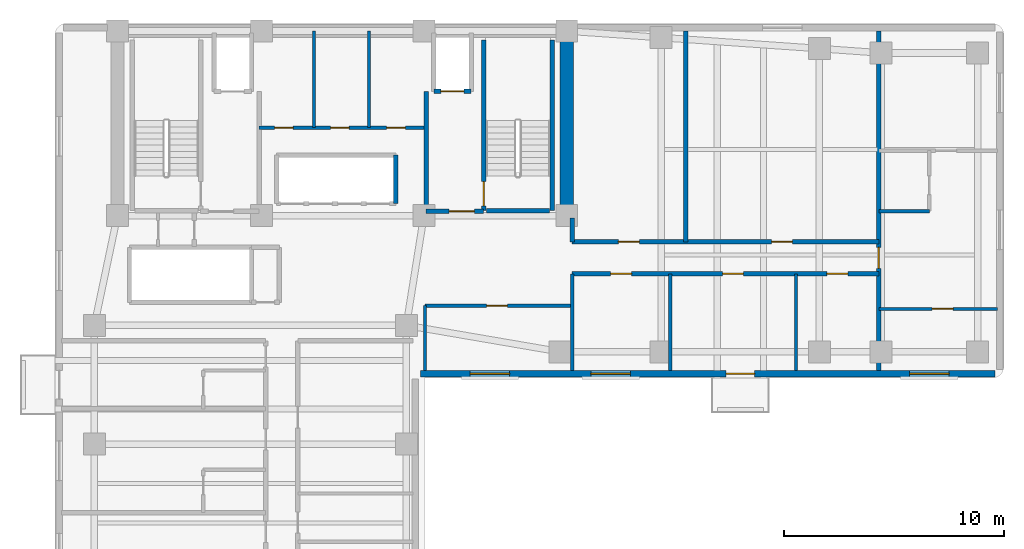
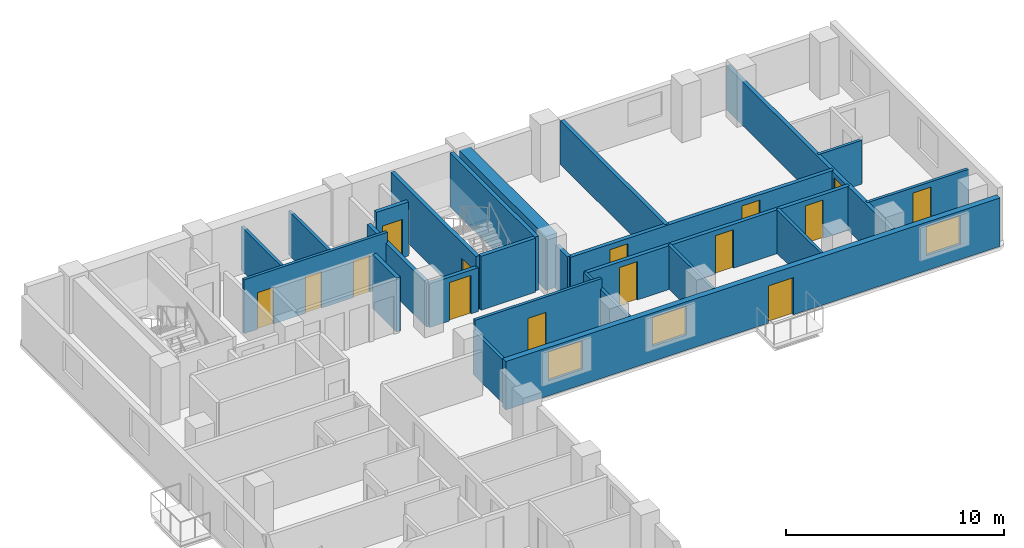
# One storey, part 4 of 7: 24 walls, 15 doors, 3 windows, 18 openings.
"""IFC4 building model written with IfcOpenShell, lengths in metres."""

from ifc_helpers import new_model, si_unit, direction, frame, frame_2d, origin, place, context, subcontext, project, spatial, rectangle, extrude, material, layer, layer_set, type_object, element, fill, save


model = new_model("IFC4")

# Units and contexts
model_context = context("Model", 3, precision=1e-05, world=origin(), true_north=direction((0.0, 1.0)))
body_context = subcontext(model_context, "Body", "Model", "MODEL_VIEW")
ifc_project = project(units=[si_unit("LENGTHUNIT", "METRE"), si_unit("AREAUNIT", "SQUARE_METRE"), si_unit("VOLUMEUNIT", "CUBIC_METRE"), si_unit("PLANEANGLEUNIT", "RADIAN"), si_unit("MASSUNIT", "GRAM", prefix="KILO")], contexts=[model_context])

# Site, building, storey
site_placement = place(None, origin())
site = spatial("IfcSite", under=ifc_project, at=site_placement, CompositionType="ELEMENT")
building_placement = place(site_placement, origin())
building = spatial("IfcBuilding", under=site, at=building_placement, Name="Kuzgunbayir Cultural Tower", CompositionType="ELEMENT")
storey_placement = place(building_placement, frame((0.0, 0.0, 123.39990234375)))
storey = spatial("IfcBuildingStorey", under=building, at=storey_placement, Name="L35", CompositionType="ELEMENT", Elevation=123.39990234375)

# Wall
ifc_material_1 = material(Name="Concrete C60/75", Category="concrete")
ifc_layer_1 = layer(ifc_material_1, 0.60009765625)
ifc_layer_set_1 = layer_set([ifc_layer_1], Name="Concrete C60/75")
wall_type_1 = type_object("IfcWallType", Name="WAL-CORE-600", PredefinedType="SHEAR", material=ifc_layer_set_1)
wall_1_placement = place(storey_placement, frame((26.89990234375, 33.800048828125, 0.0), z_axis=(0.0, 0.0, 1.0), x_axis=(0.0, 1.0, 0.0)))
element("IfcWall", 1, at=wall_1_placement, inside=storey, type_object=wall_type_1, Name="L35 T1 Core East Shear Wall", PredefinedType="SHEAR", context=body_context, shape_type="SweptSolid", body=[
    extrude(rectangle(XDim=7.949951171875, YDim=0.60009765625, at=frame_2d((3.97509765625, 0.0))), origin(), (0.0, 0.0, 1.0), 3.02001953125),
])

# Wall, openings, door, windows
ifc_material_2 = material(Name="Anatolian Cream Limestone", Category="masonry")
ifc_layer_2 = layer(ifc_material_2, 0.300048828125)
ifc_layer_set_2 = layer_set([ifc_layer_2], Name="Anatolian Cream Limestone")
wall_type_2 = type_object("IfcWallType", Name="WAL-EXT-STONE-300", PredefinedType="STANDARD", material=ifc_layer_set_2)
wall_2_placement = place(storey_placement, frame((20.25, 26.60009765625, 0.0), z_axis=(0.0, 0.0, 1.0), x_axis=(1.0, 0.0, 0.0)))
wall_2 = element("IfcWall", 2, at=wall_2_placement, inside=storey, type_object=wall_type_2, Name="L35 Wing B South Limestone Wall", PredefinedType="STANDARD", context=body_context, shape_type="SweptSolid", body=[
    extrude(rectangle(XDim=26.14990234375, YDim=0.300048828125, at=frame_2d((13.074951171875, 0.0))), origin(), (0.0, 0.0, 1.0), 2.710205078125),
])
opening_1_placement = place(wall_2_placement, frame((13.89990234375, 0.0, 0.0)))
opening_1 = element("IfcOpeningElement", 3, at=opening_1_placement, cuts=wall_2, Name="Opening BD-13", PredefinedType="OPENING", context=body_context, shape_type="SweptSolid", body=[
    extrude(rectangle(XDim=1.300048828125, YDim=2.080078125, at=frame_2d((0.64990234375, 1.0400390625))), frame((0.0, 0.16015625, 0.0), z_axis=(0.0, -1.0, 0.0), x_axis=(1.0, 0.0, 0.0)), (0.0, 0.0, 1.0), 0.320068359375),
])
opening_2_placement = place(wall_2_placement, frame((2.25, 0.0, 0.85009765625)))
opening_2 = element("IfcOpeningElement", 4, at=opening_2_placement, cuts=wall_2, Name="Opening WH-18", PredefinedType="OPENING", context=body_context, shape_type="SweptSolid", body=[
    extrude(rectangle(XDim=1.800048828125, YDim=1.610107421875, at=frame_2d((0.89990234375, 0.80517578125))), frame((0.0, 0.16015625, 0.0), z_axis=(0.0, -1.0, 0.0), x_axis=(1.0, 0.0, 0.0)), (0.0, 0.0, 1.0), 0.320068359375),
])
opening_3_placement = place(wall_2_placement, frame((7.75, 0.0, 0.85009765625)))
opening_3 = element("IfcOpeningElement", 5, at=opening_3_placement, cuts=wall_2, Name="Opening WH-18", PredefinedType="OPENING", context=body_context, shape_type="SweptSolid", body=[
    extrude(rectangle(XDim=1.800048828125, YDim=1.610107421875, at=frame_2d((0.89990234375, 0.80517578125))), frame((0.0, 0.16015625, 0.0), z_axis=(0.0, -1.0, 0.0), x_axis=(1.0, 0.0, 0.0)), (0.0, 0.0, 1.0), 0.320068359375),
])
opening_4_placement = place(wall_2_placement, frame((22.25, 0.0, 0.85009765625)))
opening_4 = element("IfcOpeningElement", 6, at=opening_4_placement, cuts=wall_2, Name="Opening WH-18", PredefinedType="OPENING", context=body_context, shape_type="SweptSolid", body=[
    extrude(rectangle(XDim=1.800048828125, YDim=1.610107421875, at=frame_2d((0.89990234375, 0.80517578125))), frame((0.0, 0.16015625, 0.0), z_axis=(0.0, -1.0, 0.0), x_axis=(1.0, 0.0, 0.0)), (0.0, 0.0, 1.0), 0.320068359375),
])
ifc_material_3 = material(Name="Thermally Broken Glazed Aluminium", Category="aluminium")
door_type_1 = type_object("IfcDoorType", Name="DR-BALCONY-135", OperationType="SLIDING_TO_LEFT", PredefinedType="DOOR", material=ifc_material_3)
door_1_placement = place(opening_1_placement, origin())
door_1 = element("IfcDoor", 7, at=door_1_placement, inside=storey, type_object=door_type_1, Name="L35 South Balcony Sliding Door BAL-L35-WB2", OperationType="SLIDING_TO_LEFT", OverallHeight=2.080078125, OverallWidth=1.300048828125, PredefinedType="DOOR", context=body_context, shape_type="SweptSolid", body=[
    extrude(rectangle(XDim=1.300048828125, YDim=2.080078125, at=frame_2d((0.64990234375, 1.0400390625))), frame((0.0, 0.02490234375, 0.0), z_axis=(0.0, -1.0, 0.0), x_axis=(1.0, 0.0, 0.0)), (0.0, 0.0, 1.0), 0.050048828125),
])
fill(opening_1, door_1)
ifc_material_4 = material(Name="Solar-Control Triple Glazing", Category="glass")
window_type = type_object("IfcWindowType", Name="WIN-HOTEL-18", PartitioningType="SINGLE_PANEL", PredefinedType="WINDOW", material=ifc_material_4)
window_1_placement = place(opening_2_placement, origin())
window_1 = element("IfcWindow", 8, at=window_1_placement, inside=storey, type_object=window_type, Name="L35 WBS Facade Window 11", OverallHeight=1.610107421875, OverallWidth=1.800048828125, PartitioningType="SINGLE_PANEL", PredefinedType="WINDOW", context=body_context, shape_type="SweptSolid", body=[
    extrude(rectangle(XDim=1.800048828125, YDim=1.610107421875, at=frame_2d((0.89990234375, 0.80517578125))), frame((0.0, 0.030029296875, 0.0), z_axis=(0.0, -1.0, 0.0), x_axis=(1.0, 0.0, 0.0)), (0.0, 0.0, 1.0), 0.06005859375),
])
fill(opening_2, window_1)
window_2_placement = place(opening_3_placement, origin())
window_2 = element("IfcWindow", 9, at=window_2_placement, inside=storey, type_object=window_type, Name="L35 WBS Facade Window 12", OverallHeight=1.610107421875, OverallWidth=1.800048828125, PartitioningType="SINGLE_PANEL", PredefinedType="WINDOW", context=body_context, shape_type="SweptSolid", body=[
    extrude(rectangle(XDim=1.800048828125, YDim=1.610107421875, at=frame_2d((0.89990234375, 0.80517578125))), frame((0.0, 0.030029296875, 0.0), z_axis=(0.0, -1.0, 0.0), x_axis=(1.0, 0.0, 0.0)), (0.0, 0.0, 1.0), 0.06005859375),
])
fill(opening_3, window_2)
window_3_placement = place(opening_4_placement, origin())
window_3 = element("IfcWindow", 10, at=window_3_placement, inside=storey, type_object=window_type, Name="L35 WBS Facade Window 13", OverallHeight=1.610107421875, OverallWidth=1.800048828125, PartitioningType="SINGLE_PANEL", PredefinedType="WINDOW", context=body_context, shape_type="SweptSolid", body=[
    extrude(rectangle(XDim=1.800048828125, YDim=1.610107421875, at=frame_2d((0.89990234375, 0.80517578125))), frame((0.0, 0.030029296875, 0.0), z_axis=(0.0, -1.0, 0.0), x_axis=(1.0, 0.0, 0.0)), (0.0, 0.0, 1.0), 0.06005859375),
])
fill(opening_4, window_3)

# Wall, openings, doors
ifc_material_5 = material(Name="Acoustic Double-Stud Drywall", Category="gypsum")
ifc_layer_3 = layer(ifc_material_5, 0.14990234375)
ifc_layer_set_3 = layer_set([ifc_layer_3], Name="Acoustic Double-Stud Drywall")
wall_type_3 = type_object("IfcWallType", Name="WAL-PART-ACOUSTIC-150", PredefinedType="PARTITIONING", material=ifc_layer_set_3)
wall_3_placement = place(storey_placement, frame((12.89990234375, 37.800048828125, 0.0), z_axis=(0.0, 0.0, 1.0), x_axis=(1.0, 0.0, 0.0)))
wall_3 = element("IfcWall", 11, at=wall_3_placement, inside=storey, type_object=wall_type_3, Name="L35 Repurposed Core Suite Wall", PredefinedType="PARTITIONING", context=body_context, shape_type="SweptSolid", body=[
    extrude(rectangle(XDim=7.60009765625, YDim=0.14990234375, at=frame_2d((3.800048828125, 0.0))), origin(), (0.0, 0.0, 1.0), 3.02001953125),
])
opening_5_placement = place(wall_3_placement, frame((0.699951171875, 0.0, 0.0)))
opening_5 = element("IfcOpeningElement", 12, at=opening_5_placement, cuts=wall_3, Name="Opening DC-85", PredefinedType="OPENING", context=body_context, shape_type="SweptSolid", body=[
    extrude(rectangle(XDim=0.85009765625, YDim=2.050048828125, at=frame_2d((0.425048828125, 1.02490234375))), frame((0.0, 0.0849609375, 0.0), z_axis=(0.0, -1.0, 0.0), x_axis=(1.0, 0.0, 0.0)), (0.0, 0.0, 1.0), 0.169921875),
])
opening_6_placement = place(wall_3_placement, frame((3.25, 0.0, 0.0)))
opening_6 = element("IfcOpeningElement", 13, at=opening_6_placement, cuts=wall_3, Name="Opening DC-85", PredefinedType="OPENING", context=body_context, shape_type="SweptSolid", body=[
    extrude(rectangle(XDim=0.85009765625, YDim=2.050048828125, at=frame_2d((0.425048828125, 1.02490234375))), frame((0.0, 0.0849609375, 0.0), z_axis=(0.0, -1.0, 0.0), x_axis=(1.0, 0.0, 0.0)), (0.0, 0.0, 1.0), 0.169921875),
])
opening_7_placement = place(wall_3_placement, frame((5.800048828125, 0.0, 0.0)))
opening_7 = element("IfcOpeningElement", 14, at=opening_7_placement, cuts=wall_3, Name="Opening DC-85", PredefinedType="OPENING", context=body_context, shape_type="SweptSolid", body=[
    extrude(rectangle(XDim=0.85009765625, YDim=2.050048828125, at=frame_2d((0.425048828125, 1.02490234375))), frame((0.0, 0.0849609375, 0.0), z_axis=(0.0, -1.0, 0.0), x_axis=(1.0, 0.0, 0.0)), (0.0, 0.0, 1.0), 0.169921875),
])
ifc_material_6 = material(Name="Fire-Rated Veneered Oak Leaf", Category="wood")
door_type_2 = type_object("IfcDoorType", Name="DR-CORE-85", OperationType="NOTDEFINED", PredefinedType="DOOR", material=ifc_material_6)
door_2_placement = place(opening_5_placement, origin())
door_2 = element("IfcDoor", 15, at=door_2_placement, inside=storey, type_object=door_type_2, Name="L35 Phone Booth Door", OperationType="SINGLE_SWING_RIGHT", OverallHeight=2.050048828125, OverallWidth=0.85009765625, PredefinedType="DOOR", context=body_context, shape_type="SweptSolid", body=[
    extrude(rectangle(XDim=0.85009765625, YDim=2.050048828125, at=frame_2d((0.425048828125, 1.02490234375))), frame((0.0, 0.02490234375, 0.0), z_axis=(0.0, -1.0, 0.0), x_axis=(1.0, 0.0, 0.0)), (0.0, 0.0, 1.0), 0.050048828125),
])
fill(opening_5, door_2)
door_3_placement = place(opening_6_placement, origin())
door_3 = element("IfcDoor", 16, at=door_3_placement, inside=storey, type_object=door_type_2, Name="L35 Pantry Alcove Door", OperationType="SINGLE_SWING_LEFT", OverallHeight=2.050048828125, OverallWidth=0.85009765625, PredefinedType="DOOR", context=body_context, shape_type="SweptSolid", body=[
    extrude(rectangle(XDim=0.85009765625, YDim=2.050048828125, at=frame_2d((0.425048828125, 1.02490234375))), frame((0.0, 0.02490234375, 0.0), z_axis=(0.0, -1.0, 0.0), x_axis=(1.0, 0.0, 0.0)), (0.0, 0.0, 1.0), 0.050048828125),
])
fill(opening_6, door_3)
door_4_placement = place(opening_7_placement, origin())
door_4 = element("IfcDoor", 17, at=door_4_placement, inside=storey, type_object=door_type_2, Name="L35 Telecom Closet Door", OperationType="SINGLE_SWING_RIGHT", OverallHeight=2.050048828125, OverallWidth=0.85009765625, PredefinedType="DOOR", context=body_context, shape_type="SweptSolid", body=[
    extrude(rectangle(XDim=0.85009765625, YDim=2.050048828125, at=frame_2d((0.425048828125, 1.02490234375))), frame((0.0, 0.02490234375, 0.0), z_axis=(0.0, -1.0, 0.0), x_axis=(1.0, 0.0, 0.0)), (0.0, 0.0, 1.0), 0.050048828125),
])
fill(opening_7, door_4)

# Walls
for number, where, z_axis, x_axis, name in (
    (18, (15.39990234375, 37.800048828125, 0.0), (0.0, 0.0, 1.0), (0.0, 1.0, 0.0), "L35 Core Pod Partition 1"),
    (19, (17.89990234375, 37.800048828125, 0.0), (0.0, 0.0, 1.0), (0.0, 1.0, 0.0), "L35 Core Pod Partition 2"),
):
    element("IfcWall", number, at=place(storey_placement, frame(where, z_axis=z_axis, x_axis=x_axis)), inside=storey, type_object=wall_type_3, Name=name, PredefinedType="PARTITIONING", context=body_context, shape_type="SweptSolid", body=[
        extrude(rectangle(XDim=4.39990234375, YDim=0.14990234375, at=frame_2d((2.199951171875, 0.0))), origin(), (0.0, 0.0, 1.0), 2.4501953125),
    ])

# Wall, opening, door
wall_4_placement = place(storey_placement, frame((20.449951171875, 29.699951171875, 0.0), z_axis=(0.0, 0.0, 1.0), x_axis=(1.0, 0.0, 0.0)))
wall_4 = element("IfcWall", 20, at=wall_4_placement, inside=storey, type_object=wall_type_3, Name="L35 Waist Alcove North Wall", PredefinedType="PARTITIONING", context=body_context, shape_type="SweptSolid", body=[
    extrude(rectangle(XDim=6.699951171875, YDim=0.14990234375, at=frame_2d((3.35009765625, 0.0))), origin(), (0.0, 0.0, 1.0), 3.02001953125),
])
opening_8_placement = place(wall_4_placement, frame((2.800048828125, 0.0, 0.0)))
opening_8 = element("IfcOpeningElement", 21, at=opening_8_placement, cuts=wall_4, Name="Opening DI-90", PredefinedType="OPENING", context=body_context, shape_type="SweptSolid", body=[
    extrude(rectangle(XDim=0.949951171875, YDim=2.14990234375, at=frame_2d((0.47509765625, 1.074951171875))), frame((0.0, 0.0849609375, 0.0), z_axis=(0.0, -1.0, 0.0), x_axis=(1.0, 0.0, 0.0)), (0.0, 0.0, 1.0), 0.169921875),
])
ifc_material_7 = material(Name="Veneered Oak Single Leaf", Category="wood")
door_type_3 = type_object("IfcDoorType", Name="DR-INT-90", OperationType="NOTDEFINED", PredefinedType="DOOR", material=ifc_material_7)
door_5_placement = place(opening_8_placement, origin())
door_5 = element("IfcDoor", 22, at=door_5_placement, inside=storey, type_object=door_type_3, Name="L35 Waist Alcove Door", OperationType="SINGLE_SWING_LEFT", OverallHeight=2.14990234375, OverallWidth=0.949951171875, PredefinedType="DOOR", context=body_context, shape_type="SweptSolid", body=[
    extrude(rectangle(XDim=0.949951171875, YDim=2.14990234375, at=frame_2d((0.47509765625, 1.074951171875))), frame((0.0, 0.02490234375, 0.0), z_axis=(0.0, -1.0, 0.0), x_axis=(1.0, 0.0, 0.0)), (0.0, 0.0, 1.0), 0.050048828125),
])
fill(opening_8, door_5)

# Walls
wall_5_placement = place(storey_placement, frame((20.449951171875, 26.75, 0.0), z_axis=(0.0, 0.0, 1.0), x_axis=(0.0, 1.0, 0.0)))
element("IfcWall", 23, at=wall_5_placement, inside=storey, type_object=wall_type_3, Name="L35 Waist Alcove West Wall", PredefinedType="PARTITIONING", context=body_context, shape_type="SweptSolid", body=[
    extrude(rectangle(XDim=2.949951171875, YDim=0.14990234375, at=frame_2d((1.47509765625, 0.0))), origin(), (0.0, 0.0, 1.0), 2.4501953125),
])
for number, where, z_axis, x_axis, name in (
    (24, (27.14990234375, 26.75, 0.0), (0.0, 0.0, 1.0), (0.0, 1.0, 0.0), "L35 Waist Alcove East Wall"),
    (25, (31.610107421875, 26.75, 0.0), (0.0, 0.0, 1.0), (0.0, 1.0, 0.0), "L35 Wing B South Divider 1"),
    (26, (37.330078125, 26.75, 0.0), (0.0, 0.0, 1.0), (0.0, 1.0, 0.0), "L35 Wing B South Divider 2"),
):
    element("IfcWall", number, at=place(storey_placement, frame(where, z_axis=z_axis, x_axis=x_axis)), inside=storey, type_object=wall_type_3, Name=name, PredefinedType="PARTITIONING", context=body_context, shape_type="SweptSolid", body=[
        extrude(rectangle(XDim=4.39990234375, YDim=0.14990234375, at=frame_2d((2.199951171875, 0.0))), origin(), (0.0, 0.0, 1.0), 2.4501953125),
    ])
ifc_material_8 = material(Name="Aerated Concrete Blockwork", Category="masonry")
ifc_layer_4 = layer(ifc_material_8, 0.199951171875)
ifc_layer_set_4 = layer_set([ifc_layer_4], Name="Aerated Concrete Blockwork")
wall_type_4 = type_object("IfcWallType", Name="WAL-PART-FIRE-200", PredefinedType="PARTITIONING", material=ifc_layer_set_4)
wall_6_placement = place(storey_placement, frame((20.5, 34.0, 0.0), z_axis=(0.0, 0.0, 1.0), x_axis=(0.0, 1.0, 0.0)))
element("IfcWall", 27, at=wall_6_placement, inside=storey, type_object=wall_type_4, Name="L35 FFL-2 Lobby West Fire Wall", PredefinedType="PARTITIONING", context=body_context, shape_type="SweptSolid", body=[
    extrude(rectangle(XDim=5.449951171875, YDim=0.199951171875, at=frame_2d((2.72509765625, 0.0))), origin(), (0.0, 0.0, 1.0), 2.4501953125),
])

# Wall, opening, door
wall_7_placement = place(storey_placement, frame((20.5, 34.0, 0.0), z_axis=(0.0, 0.0, 1.0), x_axis=(1.0, 0.0, 0.0)))
wall_7 = element("IfcWall", 28, at=wall_7_placement, inside=storey, type_object=wall_type_4, Name="L35 FFL-2 Lobby South Fire Wall", PredefinedType="PARTITIONING", context=body_context, shape_type="SweptSolid", body=[
    extrude(rectangle(XDim=2.60009765625, YDim=0.199951171875, at=frame_2d((1.300048828125, 0.0))), origin(), (0.0, 0.0, 1.0), 2.4501953125),
])
opening_9_placement = place(wall_7_placement, frame((1.050048828125, 0.0, 0.0)))
opening_9 = element("IfcOpeningElement", 29, at=opening_9_placement, cuts=wall_7, Name="Opening DR-FFL-90", PredefinedType="OPENING", context=body_context, shape_type="SweptSolid", body=[
    extrude(rectangle(XDim=1.14990234375, YDim=2.14990234375, at=frame_2d((0.574951171875, 1.074951171875))), frame((0.0, 0.10986328125, 0.0), z_axis=(0.0, -1.0, 0.0), x_axis=(1.0, 0.0, 0.0)), (0.0, 0.0, 1.0), 0.219970703125),
])
ifc_material_9 = material(Name="Steel S355J2", Category="steel")
door_type_4 = type_object("IfcDoorType", Name="DR-FFL-90", OperationType="NOTDEFINED", PredefinedType="DOOR", material=ifc_material_9)
door_6_placement = place(opening_9_placement, origin())
door_6 = element("IfcDoor", 30, at=door_6_placement, inside=storey, type_object=door_type_4, Name="L35 Firefighting Lobby 2 Door", OperationType="SINGLE_SWING_RIGHT", OverallHeight=2.14990234375, OverallWidth=1.14990234375, PredefinedType="DOOR", context=body_context, shape_type="SweptSolid", body=[
    extrude(rectangle(XDim=1.14990234375, YDim=2.14990234375, at=frame_2d((0.574951171875, 1.074951171875))), frame((0.0, 0.02490234375, 0.0), z_axis=(0.0, -1.0, 0.0), x_axis=(1.0, 0.0, 0.0)), (0.0, 0.0, 1.0), 0.050048828125),
])
fill(opening_9, door_6)

# Wall, openings, doors
wall_8_placement = place(storey_placement, frame((27.14990234375, 31.14990234375, 0.0), z_axis=(0.0, 0.0, 1.0), x_axis=(1.0, 0.0, 0.0)))
wall_8 = element("IfcWall", 31, at=wall_8_placement, inside=storey, type_object=wall_type_4, Name="L35 Wing B Hotel Corridor South Wall", PredefinedType="PARTITIONING", context=body_context, shape_type="SweptSolid", body=[
    extrude(rectangle(XDim=13.9501953125, YDim=0.199951171875, at=frame_2d((6.97509765625, 0.0))), origin(), (0.0, 0.0, 1.0), 2.4501953125),
])
opening_10_placement = place(wall_8_placement, frame((1.75, 0.0, 0.0)))
opening_10 = element("IfcOpeningElement", 32, at=opening_10_placement, cuts=wall_8, Name="Opening DI-90", PredefinedType="OPENING", context=body_context, shape_type="SweptSolid", body=[
    extrude(rectangle(XDim=0.949951171875, YDim=2.14990234375, at=frame_2d((0.47509765625, 1.074951171875))), frame((0.0, 0.10986328125, 0.0), z_axis=(0.0, -1.0, 0.0), x_axis=(1.0, 0.0, 0.0)), (0.0, 0.0, 1.0), 0.219970703125),
])
opening_11_placement = place(wall_8_placement, frame((6.840087890625, 0.0, 0.0)))
opening_11 = element("IfcOpeningElement", 33, at=opening_11_placement, cuts=wall_8, Name="Opening DI-90", PredefinedType="OPENING", context=body_context, shape_type="SweptSolid", body=[
    extrude(rectangle(XDim=0.949951171875, YDim=2.14990234375, at=frame_2d((0.47509765625, 1.074951171875))), frame((0.0, 0.10986328125, 0.0), z_axis=(0.0, -1.0, 0.0), x_axis=(1.0, 0.0, 0.0)), (0.0, 0.0, 1.0), 0.219970703125),
])
opening_12_placement = place(wall_8_placement, frame((11.590087890625, 0.0, 0.0)))
opening_12 = element("IfcOpeningElement", 34, at=opening_12_placement, cuts=wall_8, Name="Opening DI-90", PredefinedType="OPENING", context=body_context, shape_type="SweptSolid", body=[
    extrude(rectangle(XDim=0.949951171875, YDim=2.14990234375, at=frame_2d((0.47509765625, 1.074951171875))), frame((0.0, 0.10986328125, 0.0), z_axis=(0.0, -1.0, 0.0), x_axis=(1.0, 0.0, 0.0)), (0.0, 0.0, 1.0), 0.219970703125),
])
door_7_placement = place(opening_10_placement, origin())
door_7 = element("IfcDoor", 35, at=door_7_placement, inside=storey, type_object=door_type_3, Name="L35 Fellows Reading Lounge B1 Door", OperationType="SINGLE_SWING_LEFT", OverallHeight=2.14990234375, OverallWidth=0.949951171875, PredefinedType="DOOR", context=body_context, shape_type="SweptSolid", body=[
    extrude(rectangle(XDim=0.949951171875, YDim=2.14990234375, at=frame_2d((0.47509765625, 1.074951171875))), frame((0.0, 0.02490234375, 0.0), z_axis=(0.0, -1.0, 0.0), x_axis=(1.0, 0.0, 0.0)), (0.0, 0.0, 1.0), 0.050048828125),
])
fill(opening_10, door_7)
door_8_placement = place(opening_11_placement, origin())
door_8 = element("IfcDoor", 36, at=door_8_placement, inside=storey, type_object=door_type_3, Name="L35 Fellows Reading Lounge B2 Door", OperationType="SINGLE_SWING_RIGHT", OverallHeight=2.14990234375, OverallWidth=0.949951171875, PredefinedType="DOOR", context=body_context, shape_type="SweptSolid", body=[
    extrude(rectangle(XDim=0.949951171875, YDim=2.14990234375, at=frame_2d((0.47509765625, 1.074951171875))), frame((0.0, 0.02490234375, 0.0), z_axis=(0.0, -1.0, 0.0), x_axis=(1.0, 0.0, 0.0)), (0.0, 0.0, 1.0), 0.050048828125),
])
fill(opening_11, door_8)
door_9_placement = place(opening_12_placement, origin())
door_9 = element("IfcDoor", 37, at=door_9_placement, inside=storey, type_object=door_type_3, Name="L35 Fellows Reading Lounge B3 Door", OperationType="SINGLE_SWING_LEFT", OverallHeight=2.14990234375, OverallWidth=0.949951171875, PredefinedType="DOOR", context=body_context, shape_type="SweptSolid", body=[
    extrude(rectangle(XDim=0.949951171875, YDim=2.14990234375, at=frame_2d((0.47509765625, 1.074951171875))), frame((0.0, 0.02490234375, 0.0), z_axis=(0.0, -1.0, 0.0), x_axis=(1.0, 0.0, 0.0)), (0.0, 0.0, 1.0), 0.050048828125),
])
fill(opening_12, door_9)

wall_9_placement = place(storey_placement, frame((27.14990234375, 32.60009765625, 0.0), z_axis=(0.0, 0.0, 1.0), x_axis=(1.0, 0.0, 0.0)))
wall_9 = element("IfcWall", 38, at=wall_9_placement, inside=storey, type_object=wall_type_4, Name="L35 Wing B Hotel Corridor North Wall", PredefinedType="PARTITIONING", context=body_context, shape_type="SweptSolid", body=[
    extrude(rectangle(XDim=13.9501953125, YDim=0.199951171875, at=frame_2d((6.97509765625, 0.0))), origin(), (0.0, 0.0, 1.0), 2.4501953125),
])
opening_13_placement = place(wall_9_placement, frame((2.10009765625, 0.0, 0.0)))
opening_13 = element("IfcOpeningElement", 39, at=opening_13_placement, cuts=wall_9, Name="Opening DI-90", PredefinedType="OPENING", context=body_context, shape_type="SweptSolid", body=[
    extrude(rectangle(XDim=0.949951171875, YDim=2.14990234375, at=frame_2d((0.47509765625, 1.074951171875))), frame((0.0, 0.10986328125, 0.0), z_axis=(0.0, -1.0, 0.0), x_axis=(1.0, 0.0, 0.0)), (0.0, 0.0, 1.0), 0.219970703125),
])
opening_14_placement = place(wall_9_placement, frame((9.070068359375, 0.0, 0.0)))
opening_14 = element("IfcOpeningElement", 40, at=opening_14_placement, cuts=wall_9, Name="Opening DI-90", PredefinedType="OPENING", context=body_context, shape_type="SweptSolid", body=[
    extrude(rectangle(XDim=0.949951171875, YDim=2.14990234375, at=frame_2d((0.47509765625, 1.074951171875))), frame((0.0, 0.10986328125, 0.0), z_axis=(0.0, -1.0, 0.0), x_axis=(1.0, 0.0, 0.0)), (0.0, 0.0, 1.0), 0.219970703125),
])
door_10_placement = place(opening_13_placement, origin())
door_10 = element("IfcDoor", 41, at=door_10_placement, inside=storey, type_object=door_type_3, Name="L35 North Fellows Reading Lounge 1 Door", OperationType="SINGLE_SWING_RIGHT", OverallHeight=2.14990234375, OverallWidth=0.949951171875, PredefinedType="DOOR", context=body_context, shape_type="SweptSolid", body=[
    extrude(rectangle(XDim=0.949951171875, YDim=2.14990234375, at=frame_2d((0.47509765625, 1.074951171875))), frame((0.0, 0.02490234375, 0.0), z_axis=(0.0, -1.0, 0.0), x_axis=(1.0, 0.0, 0.0)), (0.0, 0.0, 1.0), 0.050048828125),
])
fill(opening_13, door_10)
door_11_placement = place(opening_14_placement, origin())
door_11 = element("IfcDoor", 42, at=door_11_placement, inside=storey, type_object=door_type_3, Name="L35 North Wellness Consultation Studio 2 Door", OperationType="SINGLE_SWING_LEFT", OverallHeight=2.14990234375, OverallWidth=0.949951171875, PredefinedType="DOOR", context=body_context, shape_type="SweptSolid", body=[
    extrude(rectangle(XDim=0.949951171875, YDim=2.14990234375, at=frame_2d((0.47509765625, 1.074951171875))), frame((0.0, 0.02490234375, 0.0), z_axis=(0.0, -1.0, 0.0), x_axis=(1.0, 0.0, 0.0)), (0.0, 0.0, 1.0), 0.050048828125),
])
fill(opening_14, door_11)

# Wall
wall_10_placement = place(storey_placement, frame((27.14990234375, 32.60009765625, 0.0), z_axis=(0.0, 0.0, 1.0), x_axis=(0.0, 1.0, 0.0)))
element("IfcWall", 43, at=wall_10_placement, inside=storey, type_object=wall_type_4, Name="L35 Wing B North Core Closure Wall", PredefinedType="PARTITIONING", context=body_context, shape_type="SweptSolid", body=[
    extrude(rectangle(XDim=1.079833984375, YDim=0.199951171875, at=frame_2d((0.5400390625, 0.0))), origin(), (0.0, 0.0, 1.0), 2.4501953125),
])

# Wall, opening, door
wall_11_placement = place(storey_placement, frame((41.10009765625, 26.75, 0.0), z_axis=(0.0, 0.0, 1.0), x_axis=(0.0, 1.0, 0.0)))
wall_11 = element("IfcWall", 44, at=wall_11_placement, inside=storey, type_object=wall_type_4, Name="L35 Wing B East Suite Wall", PredefinedType="PARTITIONING", context=body_context, shape_type="SweptSolid", body=[
    extrude(rectangle(XDim=15.449951171875, YDim=0.199951171875, at=frame_2d((7.72509765625, 0.0))), origin(), (0.0, 0.0, 1.0), 2.4501953125),
])
opening_15_placement = place(wall_11_placement, frame((4.64990234375, 0.0, 0.0)))
opening_15 = element("IfcOpeningElement", 45, at=opening_15_placement, cuts=wall_11, Name="Opening DR-APT-60", PredefinedType="OPENING", context=body_context, shape_type="SweptSolid", body=[
    extrude(rectangle(XDim=0.949951171875, YDim=2.14990234375, at=frame_2d((0.47509765625, 1.074951171875))), frame((0.0, 0.10986328125, 0.0), z_axis=(0.0, -1.0, 0.0), x_axis=(1.0, 0.0, 0.0)), (0.0, 0.0, 1.0), 0.219970703125),
])
ifc_material_10 = material(Name="Acoustic Fire Timber Leaf", Category="wood")
door_type_5 = type_object("IfcDoorType", Name="DR-APT-60", OperationType="NOTDEFINED", PredefinedType="DOOR", material=ifc_material_10)
door_12_placement = place(opening_15_placement, origin())
door_12 = element("IfcDoor", 46, at=door_12_placement, inside=storey, type_object=door_type_5, Name="L35 Corner Suite Entrance", OperationType="SINGLE_SWING_LEFT", OverallHeight=2.14990234375, OverallWidth=0.949951171875, PredefinedType="DOOR", context=body_context, shape_type="SweptSolid", body=[
    extrude(rectangle(XDim=0.949951171875, YDim=2.14990234375, at=frame_2d((0.47509765625, 1.074951171875))), frame((0.0, 0.02490234375, 0.0), z_axis=(0.0, -1.0, 0.0), x_axis=(1.0, 0.0, 0.0)), (0.0, 0.0, 1.0), 0.050048828125),
])
fill(opening_15, door_12)

# Wall
wall_12_placement = place(storey_placement, frame((32.31005859375, 32.60009765625, 0.0), z_axis=(0.0, 0.0, 1.0), x_axis=(0.0, 1.0, 0.0)))
element("IfcWall", 47, at=wall_12_placement, inside=storey, type_object=wall_type_4, Name="L35 Wing B North Party Wall 1", PredefinedType="PARTITIONING", context=body_context, shape_type="SweptSolid", body=[
    extrude(rectangle(XDim=9.599853515625, YDim=0.199951171875, at=frame_2d((4.7998046875, 0.0))), origin(), (0.0, 0.0, 1.0), 2.4501953125),
])

# Wall, opening, door
ifc_material_11 = material(Name="Moisture-Resistant Tile Partition", Category="gypsum")
ifc_layer_5 = layer(ifc_material_11, 0.14990234375)
ifc_layer_set_5 = layer_set([ifc_layer_5], Name="Moisture-Resistant Tile Partition")
wall_type_5 = type_object("IfcWallType", Name="WAL-PART-WET-150", PredefinedType="PARTITIONING", material=ifc_layer_set_5)
wall_13_placement = place(storey_placement, frame((41.10009765625, 29.550048828125, 0.0), z_axis=(0.0, 0.0, 1.0), x_axis=(1.0, 0.0, 0.0)))
wall_13 = element("IfcWall", 48, at=wall_13_placement, inside=storey, type_object=wall_type_5, Name="L35 Corner Suite Kitchen Wall", PredefinedType="PARTITIONING", context=body_context, shape_type="SweptSolid", body=[
    extrude(rectangle(XDim=5.39990234375, YDim=0.14990234375, at=frame_2d((2.699951171875, 0.0))), origin(), (0.0, 0.0, 1.0), 2.4501953125),
])
opening_16_placement = place(wall_13_placement, frame((2.429931640625, 0.0, 0.0)))
opening_16 = element("IfcOpeningElement", 49, at=opening_16_placement, cuts=wall_13, Name="Opening DI-90", PredefinedType="OPENING", context=body_context, shape_type="SweptSolid", body=[
    extrude(rectangle(XDim=0.949951171875, YDim=2.14990234375, at=frame_2d((0.47509765625, 1.074951171875))), frame((0.0, 0.0849609375, 0.0), z_axis=(0.0, -1.0, 0.0), x_axis=(1.0, 0.0, 0.0)), (0.0, 0.0, 1.0), 0.169921875),
])
door_13_placement = place(opening_16_placement, origin())
door_13 = element("IfcDoor", 50, at=door_13_placement, inside=storey, type_object=door_type_3, Name="L35 Corner Suite Kitchen Door", OperationType="SINGLE_SWING_RIGHT", OverallHeight=2.14990234375, OverallWidth=0.949951171875, PredefinedType="DOOR", context=body_context, shape_type="SweptSolid", body=[
    extrude(rectangle(XDim=0.949951171875, YDim=2.14990234375, at=frame_2d((0.47509765625, 1.074951171875))), frame((0.0, 0.02490234375, 0.0), z_axis=(0.0, -1.0, 0.0), x_axis=(1.0, 0.0, 0.0)), (0.0, 0.0, 1.0), 0.050048828125),
])
fill(opening_16, door_13)

# Wall
wall_14_placement = place(storey_placement, frame((41.10009765625, 34.0, 0.0), z_axis=(0.0, 0.0, 1.0), x_axis=(1.0, 0.0, 0.0)))
element("IfcWall", 51, at=wall_14_placement, inside=storey, type_object=wall_type_5, Name="L35 Corner Suite Bath South Wall", PredefinedType="PARTITIONING", context=body_context, shape_type="SweptSolid", body=[
    extrude(rectangle(XDim=2.2998046875, YDim=0.14990234375, at=frame_2d((1.14990234375, 0.0))), origin(), (0.0, 0.0, 1.0), 2.4501953125),
])

# Wall, opening, door
ifc_material_12 = material(Name="Concrete C40/50", Category="concrete")
ifc_layer_6 = layer(ifc_material_12, 0.199951171875)
ifc_layer_set_6 = layer_set([ifc_layer_6], Name="Concrete C40/50")
wall_type_6 = type_object("IfcWallType", Name="WAL-SHAFT-200", PredefinedType="MOVABLE", material=ifc_layer_set_6)
wall_15_placement = place(storey_placement, frame((20.85009765625, 39.449951171875, 0.0), z_axis=(0.0, 0.0, 1.0), x_axis=(1.0, 0.0, 0.0)))
wall_15 = element("IfcWall", 52, at=wall_15_placement, inside=storey, type_object=wall_type_6, Name="L35 FFL-2 Lift Front Wall", PredefinedType="MOVABLE", context=body_context, shape_type="SweptSolid", body=[
    extrude(rectangle(XDim=1.699951171875, YDim=0.199951171875, at=frame_2d((0.85009765625, 0.0))), origin(), (0.0, 0.0, 1.0), 3.02001953125),
])
opening_17_placement = place(wall_15_placement, frame((0.320068359375, 0.0, 0.0)))
opening_17 = element("IfcOpeningElement", 53, at=opening_17_placement, cuts=wall_15, Name="Opening LD", PredefinedType="OPENING", context=body_context, shape_type="SweptSolid", body=[
    extrude(rectangle(XDim=1.050048828125, YDim=2.14990234375, at=frame_2d((0.52490234375, 1.074951171875))), frame((0.0, 0.10986328125, 0.0), z_axis=(0.0, -1.0, 0.0), x_axis=(1.0, 0.0, 0.0)), (0.0, 0.0, 1.0), 0.219970703125),
])
ifc_material_13 = material(Name="Brushed Stainless Steel", Category="steel")
door_type_6 = type_object("IfcDoorType", Name="DR-LIFT-LANDING", OperationType="SLIDING_TO_LEFT", PredefinedType="DOOR", material=ifc_material_13)
door_14_placement = place(opening_17_placement, origin())
door_14 = element("IfcDoor", 54, at=door_14_placement, inside=storey, type_object=door_type_6, Name="L35 Lift FFL-2 Landing Door", OperationType="SLIDING_TO_LEFT", OverallHeight=2.14990234375, OverallWidth=1.050048828125, PredefinedType="DOOR", context=body_context, shape_type="SweptSolid", body=[
    extrude(rectangle(XDim=1.050048828125, YDim=2.14990234375, at=frame_2d((0.52490234375, 1.074951171875))), frame((0.0, 0.02490234375, 0.0), z_axis=(0.0, -1.0, 0.0), x_axis=(1.0, 0.0, 0.0)), (0.0, 0.0, 1.0), 0.050048828125),
])
fill(opening_17, door_14)

# Wall
wall_16_placement = place(storey_placement, frame((19.1201171875, 34.35009765625, 0.0), z_axis=(0.0, 0.0, 1.0), x_axis=(0.0, 1.0, 0.0)))
element("IfcWall", 55, at=wall_16_placement, inside=storey, type_object=wall_type_6, Name="L35 Mid-Rise Lift Shaft East Wall", PredefinedType="MOVABLE", context=body_context, shape_type="SweptSolid", body=[
    extrude(rectangle(XDim=2.199951171875, YDim=0.199951171875, at=frame_2d((1.10009765625, 0.0))), origin(), (0.0, 0.0, 1.0), 3.02001953125),
])

# Wall, opening, door
ifc_layer_7 = layer(ifc_material_12, 0.199951171875)
ifc_layer_set_7 = layer_set([ifc_layer_7], Name="Concrete C40/50")
wall_type_7 = type_object("IfcWallType", Name="WAL-STAIR-RC-200", PredefinedType="SHEAR", material=ifc_layer_set_7)
wall_17_placement = place(storey_placement, frame((23.1201171875, 34.02001953125, 0.0), z_axis=(0.0, 0.0, 1.0), x_axis=(0.0, 1.0, 0.0)))
wall_17 = element("IfcWall", 56, at=wall_17_placement, inside=storey, type_object=wall_type_7, Name="L35 Stair ST-2 West Structural Wall", PredefinedType="SHEAR", context=body_context, shape_type="SweptSolid", body=[
    extrude(rectangle(XDim=7.780029296875, YDim=0.199951171875, at=frame_2d((3.89013671875, 0.0))), origin(), (0.0, 0.0, 1.0), 3.02001953125),
])
opening_18_placement = place(wall_17_placement, frame((0.219970703125, 0.0, 0.0)))
opening_18 = element("IfcOpeningElement", 57, at=opening_18_placement, cuts=wall_17, Name="Opening DR-STAIR-90", PredefinedType="OPENING", context=body_context, shape_type="SweptSolid", body=[
    extrude(rectangle(XDim=1.10009765625, YDim=2.14990234375, at=frame_2d((0.550048828125, 1.074951171875))), frame((0.0, 0.10986328125, 0.0), z_axis=(0.0, -1.0, 0.0), x_axis=(1.0, 0.0, 0.0)), (0.0, 0.0, 1.0), 0.219970703125),
])
door_type_7 = type_object("IfcDoorType", Name="DR-STAIR-90", OperationType="NOTDEFINED", PredefinedType="DOOR", material=ifc_material_9)
door_15_placement = place(opening_18_placement, origin())
door_15 = element("IfcDoor", 58, at=door_15_placement, inside=storey, type_object=door_type_7, Name="L35 Stair ST-2 Fire Door", OperationType="SINGLE_SWING_LEFT", OverallHeight=2.14990234375, OverallWidth=1.10009765625, PredefinedType="DOOR", context=body_context, shape_type="SweptSolid", body=[
    extrude(rectangle(XDim=1.10009765625, YDim=2.14990234375, at=frame_2d((0.550048828125, 1.074951171875))), frame((0.0, 0.02490234375, 0.0), z_axis=(0.0, -1.0, 0.0), x_axis=(1.0, 0.0, 0.0)), (0.0, 0.0, 1.0), 0.050048828125),
])
fill(opening_18, door_15)

# Walls
wall_18_placement = place(storey_placement, frame((26.239990234375, 34.02001953125, 0.0), z_axis=(0.0, 0.0, 1.0), x_axis=(0.0, 1.0, 0.0)))
element("IfcWall", 59, at=wall_18_placement, inside=storey, type_object=wall_type_7, Name="L35 Stair ST-2 East Structural Wall", PredefinedType="SHEAR", context=body_context, shape_type="SweptSolid", body=[
    extrude(rectangle(XDim=7.780029296875, YDim=0.199951171875, at=frame_2d((3.89013671875, 0.0))), origin(), (0.0, 0.0, 1.0), 3.02001953125),
])
wall_19_placement = place(storey_placement, frame((23.239990234375, 34.02001953125, 0.0), z_axis=(0.0, 0.0, 1.0), x_axis=(1.0, 0.0, 0.0)))
element("IfcWall", 60, at=wall_19_placement, inside=storey, type_object=wall_type_7, Name="L35 Stair ST-2 South Structural Wall", PredefinedType="SHEAR", context=body_context, shape_type="SweptSolid", body=[
    extrude(rectangle(XDim=2.880126953125, YDim=0.199951171875, at=frame_2d((1.43994140625, 0.0))), origin(), (0.0, 0.0, 1.0), 3.02001953125),
])

save(model, "model.ifc")
